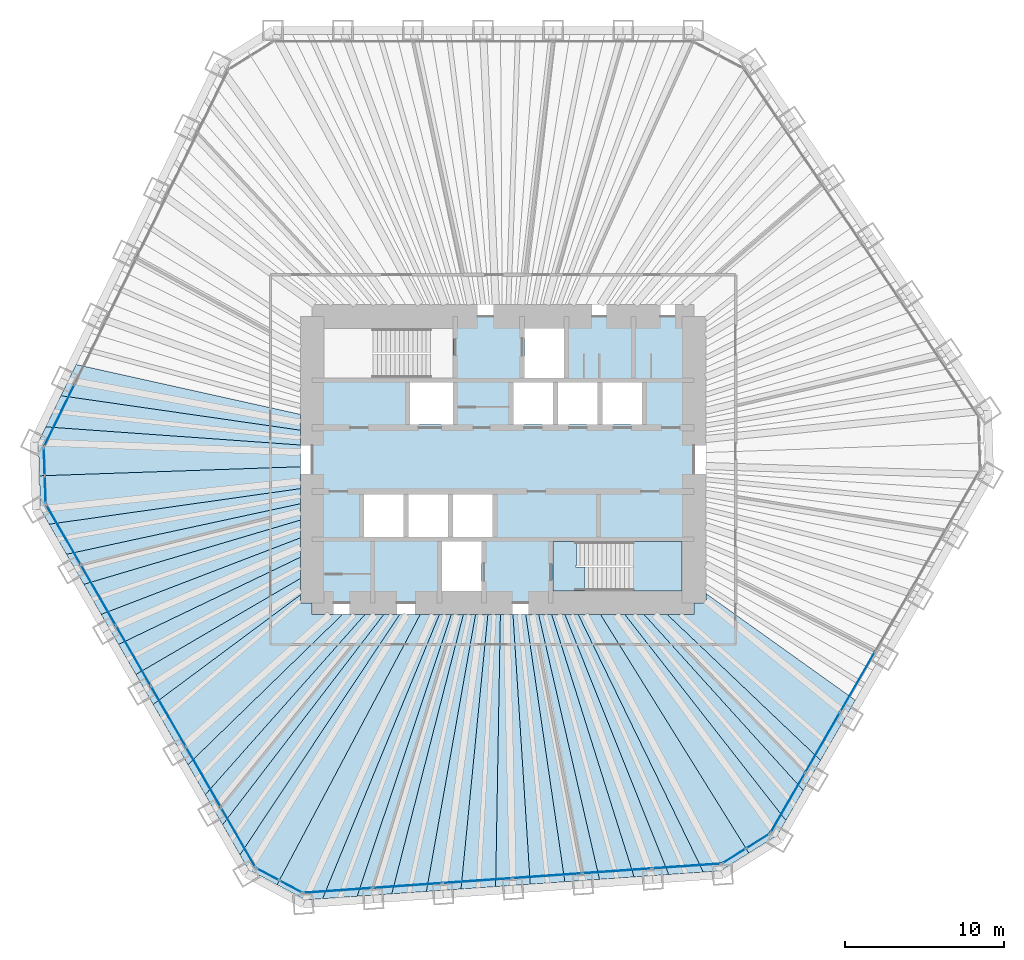
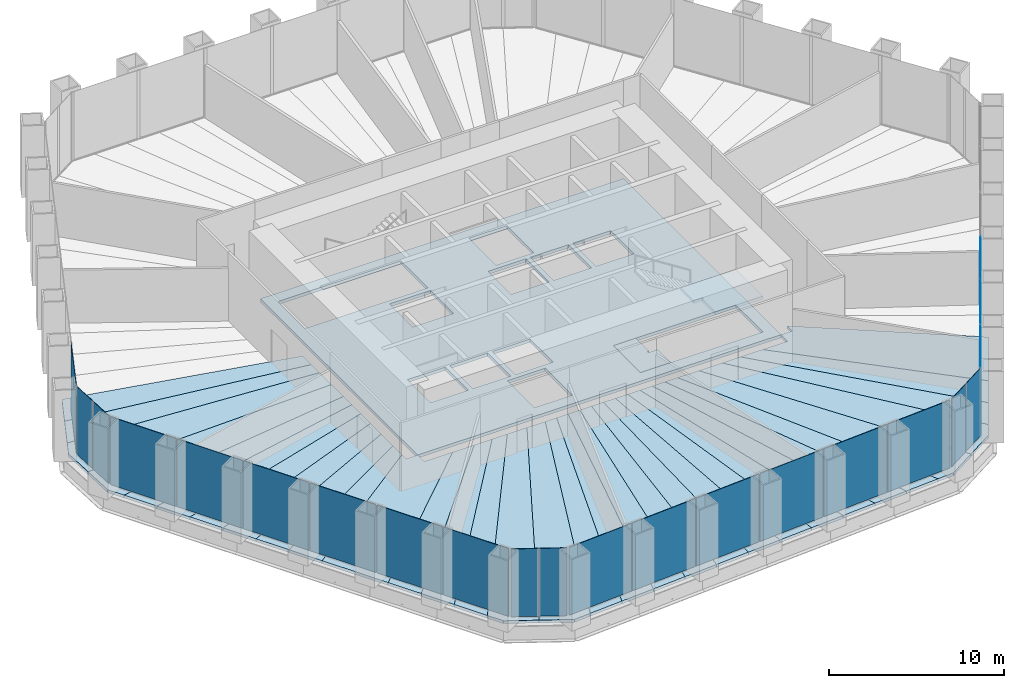
# One storey, part 8 of 13: 35 slabs, 22 plates, 8 elements without a shape of their own.
"""IFC4 building model written with IfcOpenShell, lengths in metres."""

from ifc_helpers import new_model, si_unit, direction, frame, origin, origin_2d, place, context, subcontext, project, spatial, polyline, rectangle, outline, extrude, material, layer, layer_set, type_object, element, aggregate, save


model = new_model("IFC4")

# Units and contexts
model_context = context("Model", 3, precision=1e-05, world=origin(), true_north=direction((0.0, 1.0)))
body_context = subcontext(model_context, "Body", "Model", "MODEL_VIEW")
ifc_project = project(units=[si_unit("LENGTHUNIT", "METRE"), si_unit("AREAUNIT", "SQUARE_METRE"), si_unit("VOLUMEUNIT", "CUBIC_METRE"), si_unit("PLANEANGLEUNIT", "RADIAN"), si_unit("MASSUNIT", "GRAM", prefix="KILO")], contexts=[model_context])

# Site, building, storey
site_placement = place(None, origin())
site = spatial("IfcSite", under=ifc_project, at=site_placement, CompositionType="ELEMENT")
building_placement = place(site_placement, origin())
building = spatial("IfcBuilding", under=site, at=building_placement, Name="Qingtian Harvest Tower", CompositionType="ELEMENT")
storey_placement = place(building_placement, frame((0.0, 0.0, 77.0)))
storey = spatial("IfcBuildingStorey", under=building, at=storey_placement, Name="L15", CompositionType="ELEMENT", Elevation=77.0)

# Slabs
ifc_material_1 = material(Name="Concrete fc' 35 MPa", Category="concrete")
ifc_layer_1 = layer(ifc_material_1, 0.199951171875)
ifc_layer_set_1 = layer_set([ifc_layer_1], Name="Composite floor slab FS20 200")
slab_type_1 = type_object("IfcSlabType", Name="Composite floor slab FS20 200", PredefinedType="FLOOR", material=ifc_layer_set_1)
slab_1_placement = place(storey_placement, frame((0.0, 0.0, -0.199951171875)))
element("IfcSlab", 1, at=slab_1_placement, inside=storey, type_object=slab_type_1, Name="Floor slab L15 panel D01", PredefinedType="FLOOR", context=body_context, shape_type="SweptSolid", body=[
    extrude(outline(polyline([(-29.157470703125, -1.018310546875), (-12.75, -0.447509765625), (-12.75, -1.822998046875), (-28.548583984375, -4.062255859375), (-29.08349609375, -3.135986328125), (-29.157470703125, -1.018310546875)])), origin(), (0.0, 0.0, 1.0), 0.199951171875),
])
slab_2_placement = place(storey_placement, frame((0.0, 0.0, -0.199951171875)))
element("IfcSlab", 2, at=slab_2_placement, inside=storey, type_object=slab_type_1, Name="Floor slab L15 panel D02", PredefinedType="FLOOR", context=body_context, shape_type="SweptSolid", body=[
    extrude(outline(polyline([(-12.75, -2.773681640625), (-27.45751953125, -5.9521484375), (-28.548583984375, -4.062255859375), (-12.75, -1.822998046875), (-12.75, -2.773681640625)])), origin(), (0.0, 0.0, 1.0), 0.199951171875),
])
slab_3_placement = place(storey_placement, frame((0.0, 0.0, -0.199951171875)))
element("IfcSlab", 3, at=slab_3_placement, inside=storey, type_object=slab_type_1, Name="Floor slab L15 panel D03", PredefinedType="FLOOR", context=body_context, shape_type="SweptSolid", body=[
    extrude(outline(polyline([(-12.75, -3.80322265625), (-26.366455078125, -7.842041015625), (-27.45751953125, -5.9521484375), (-12.75, -2.773681640625), (-12.75, -3.80322265625)])), origin(), (0.0, 0.0, 1.0), 0.199951171875),
])
slab_4_placement = place(storey_placement, frame((0.0, 0.0, -0.199951171875)))
element("IfcSlab", 4, at=slab_4_placement, inside=storey, type_object=slab_type_1, Name="Floor slab L15 panel D04", PredefinedType="FLOOR", context=body_context, shape_type="SweptSolid", body=[
    extrude(outline(polyline([(-12.75, -4.921875), (-25.275146484375, -9.732177734375), (-26.366455078125, -7.842041015625), (-12.75, -3.80322265625), (-12.75, -4.921875)])), origin(), (0.0, 0.0, 1.0), 0.199951171875),
])
slab_5_placement = place(storey_placement, frame((0.0, 0.0, -0.199951171875)))
element("IfcSlab", 5, at=slab_5_placement, inside=storey, type_object=slab_type_1, Name="Floor slab L15 panel D05", PredefinedType="FLOOR", context=body_context, shape_type="SweptSolid", body=[
    extrude(outline(polyline([(-12.75, -6.141357421875), (-24.18408203125, -11.6220703125), (-25.275146484375, -9.732177734375), (-12.75, -4.921875), (-12.75, -6.141357421875)])), origin(), (0.0, 0.0, 1.0), 0.199951171875),
])
slab_6_placement = place(storey_placement, frame((0.0, 0.0, -0.199951171875)))
element("IfcSlab", 6, at=slab_6_placement, inside=storey, type_object=slab_type_1, Name="Floor slab L15 panel D06", PredefinedType="FLOOR", context=body_context, shape_type="SweptSolid", body=[
    extrude(outline(polyline([(-12.75, -7.4765625), (-23.0927734375, -13.511962890625), (-24.18408203125, -11.6220703125), (-12.75, -6.141357421875), (-12.75, -7.4765625)])), origin(), (0.0, 0.0, 1.0), 0.199951171875),
])
slab_7_placement = place(storey_placement, frame((0.0, 0.0, -0.199951171875)))
element("IfcSlab", 7, at=slab_7_placement, inside=storey, type_object=slab_type_1, Name="Floor slab L15 panel D07", PredefinedType="FLOOR", context=body_context, shape_type="SweptSolid", body=[
    extrude(outline(polyline([(-12.75, -8.512451171875), (-22.00537109375, -15.3955078125), (-23.0927734375, -13.511962890625), (-12.75, -7.4765625), (-12.75, -8.512451171875)])), origin(), (0.0, 0.0, 1.0), 0.199951171875),
])
slab_8_placement = place(storey_placement, frame((0.0, 0.0, -0.199951171875)))
element("IfcSlab", 8, at=slab_8_placement, inside=storey, type_object=slab_type_1, Name="Floor slab L15 panel D09", PredefinedType="FLOOR", context=body_context, shape_type="SweptSolid", body=[
    extrude(outline(polyline([(-19.81982421875, -19.18115234375), (-22.00537109375, -15.3955078125), (-12.75, -8.512451171875), (-12.75, -9.0), (-12.0, -9.0), (-12.0, -9.75), (-10.1123046875, -9.75), (-19.81982421875, -19.18115234375)])), origin(), (0.0, 0.0, 1.0), 0.199951171875),
])
slab_9_placement = place(storey_placement, frame((0.0, 0.0, -0.199951171875)))
element("IfcSlab", 9, at=slab_9_placement, inside=storey, type_object=slab_type_1, Name="Floor slab L15 panel D10", PredefinedType="FLOOR", context=body_context, shape_type="SweptSolid", body=[
    extrude(outline(polyline([(-8.694580078125, -9.75), (-18.728515625, -21.0712890625), (-19.81982421875, -19.18115234375), (-10.1123046875, -9.75), (-8.694580078125, -9.75)])), origin(), (0.0, 0.0, 1.0), 0.199951171875),
])
slab_10_placement = place(storey_placement, frame((0.0, 0.0, -0.199951171875)))
element("IfcSlab", 10, at=slab_10_placement, inside=storey, type_object=slab_type_1, Name="Floor slab L15 panel D11", PredefinedType="FLOOR", context=body_context, shape_type="SweptSolid", body=[
    extrude(outline(polyline([(-7.511474609375, -9.75), (-17.63720703125, -22.961181640625), (-18.728515625, -21.0712890625), (-8.694580078125, -9.75), (-7.511474609375, -9.75)])), origin(), (0.0, 0.0, 1.0), 0.199951171875),
])
slab_11_placement = place(storey_placement, frame((0.0, 0.0, -0.199951171875)))
element("IfcSlab", 11, at=slab_11_placement, inside=storey, type_object=slab_type_1, Name="Floor slab L15 panel D12", PredefinedType="FLOOR", context=body_context, shape_type="SweptSolid", body=[
    extrude(outline(polyline([(-6.509033203125, -9.75), (-16.546142578125, -24.851318359375), (-17.63720703125, -22.961181640625), (-7.511474609375, -9.75), (-6.509033203125, -9.75)])), origin(), (0.0, 0.0, 1.0), 0.199951171875),
])
slab_12_placement = place(storey_placement, frame((0.0, 0.0, -0.199951171875)))
element("IfcSlab", 12, at=slab_12_placement, inside=storey, type_object=slab_type_1, Name="Floor slab L15 panel D13", PredefinedType="FLOOR", context=body_context, shape_type="SweptSolid", body=[
    extrude(outline(polyline([(-6.509033203125, -9.75), (-5.213623046875, -9.75), (-14.214599609375, -26.73291015625), (-16.01123046875, -25.777587890625), (-16.546142578125, -24.851318359375), (-6.509033203125, -9.75)])), origin(), (0.0, 0.0, 1.0), 0.199951171875),
])
slab_13_placement = place(storey_placement, frame((0.0, 0.0, -0.199951171875)))
element("IfcSlab", 13, at=slab_13_placement, inside=storey, type_object=slab_type_1, Name="Floor slab L15 panel D14", PredefinedType="FLOOR", context=body_context, shape_type="SweptSolid", body=[
    extrude(outline(polyline([(-5.213623046875, -9.75), (-4.006591796875, -9.75), (-11.350341796875, -27.614013671875), (-12.417236328125, -27.688720703125), (-14.214599609375, -26.73291015625), (-5.213623046875, -9.75)])), origin(), (0.0, 0.0, 1.0), 0.199951171875),
])
slab_14_placement = place(storey_placement, frame((0.0, 0.0, -0.199951171875)))
element("IfcSlab", 14, at=slab_14_placement, inside=storey, type_object=slab_type_1, Name="Floor slab L15 panel D15", PredefinedType="FLOOR", context=body_context, shape_type="SweptSolid", body=[
    extrude(outline(polyline([(-3.255859375, -9.75), (-9.17333984375, -27.4619140625), (-11.350341796875, -27.614013671875), (-4.006591796875, -9.75), (-3.255859375, -9.75)])), origin(), (0.0, 0.0, 1.0), 0.199951171875),
])
slab_15_placement = place(storey_placement, frame((0.0, 0.0, -0.199951171875)))
element("IfcSlab", 15, at=slab_15_placement, inside=storey, type_object=slab_type_1, Name="Floor slab L15 panel D16", PredefinedType="FLOOR", context=body_context, shape_type="SweptSolid", body=[
    extrude(outline(polyline([(-2.496826171875, -9.75), (-6.996337890625, -27.3095703125), (-9.17333984375, -27.4619140625), (-3.255859375, -9.75), (-2.496826171875, -9.75)])), origin(), (0.0, 0.0, 1.0), 0.199951171875),
])
slab_16_placement = place(storey_placement, frame((0.0, 0.0, -0.199951171875)))
element("IfcSlab", 16, at=slab_16_placement, inside=storey, type_object=slab_type_1, Name="Floor slab L15 panel D17", PredefinedType="FLOOR", context=body_context, shape_type="SweptSolid", body=[
    extrude(outline(polyline([(-1.729248046875, -9.75), (-4.8193359375, -27.1572265625), (-6.996337890625, -27.3095703125), (-2.496826171875, -9.75), (-1.729248046875, -9.75)])), origin(), (0.0, 0.0, 1.0), 0.199951171875),
])
slab_17_placement = place(storey_placement, frame((0.0, 0.0, -0.199951171875)))
element("IfcSlab", 17, at=slab_17_placement, inside=storey, type_object=slab_type_1, Name="Floor slab L15 panel D18", PredefinedType="FLOOR", context=body_context, shape_type="SweptSolid", body=[
    extrude(outline(polyline([(-0.952880859375, -9.75), (-2.642333984375, -27.005126953125), (-4.8193359375, -27.1572265625), (-1.729248046875, -9.75), (-0.952880859375, -9.75)])), origin(), (0.0, 0.0, 1.0), 0.199951171875),
])
slab_18_placement = place(storey_placement, frame((0.0, 0.0, -0.199951171875)))
element("IfcSlab", 18, at=slab_18_placement, inside=storey, type_object=slab_type_1, Name="Floor slab L15 panel D19", PredefinedType="FLOOR", context=body_context, shape_type="SweptSolid", body=[
    extrude(outline(polyline([(-0.16796875, -9.75), (-0.46533203125, -26.852783203125), (-2.642333984375, -27.005126953125), (-0.952880859375, -9.75), (-0.16796875, -9.75)])), origin(), (0.0, 0.0, 1.0), 0.199951171875),
])
slab_19_placement = place(storey_placement, frame((0.0, 0.0, -0.199951171875)))
element("IfcSlab", 19, at=slab_19_placement, inside=storey, type_object=slab_type_1, Name="Floor slab L15 panel D20", PredefinedType="FLOOR", context=body_context, shape_type="SweptSolid", body=[
    extrude(outline(polyline([(0.626220703125, -9.75), (1.711669921875, -26.70068359375), (-0.46533203125, -26.852783203125), (-0.16796875, -9.75), (0.626220703125, -9.75)])), origin(), (0.0, 0.0, 1.0), 0.199951171875),
])
slab_20_placement = place(storey_placement, frame((0.0, 0.0, -0.199951171875)))
element("IfcSlab", 20, at=slab_20_placement, inside=storey, type_object=slab_type_1, Name="Floor slab L15 panel D21", PredefinedType="FLOOR", context=body_context, shape_type="SweptSolid", body=[
    extrude(outline(polyline([(1.42919921875, -9.75), (3.888671875, -26.54833984375), (1.711669921875, -26.70068359375), (0.626220703125, -9.75), (1.42919921875, -9.75)])), origin(), (0.0, 0.0, 1.0), 0.199951171875),
])
slab_21_placement = place(storey_placement, frame((0.0, 0.0, -0.199951171875)))
element("IfcSlab", 21, at=slab_21_placement, inside=storey, type_object=slab_type_1, Name="Floor slab L15 panel D22", PredefinedType="FLOOR", context=body_context, shape_type="SweptSolid", body=[
    extrude(outline(polyline([(2.24169921875, -9.75), (6.065673828125, -26.396240234375), (3.888671875, -26.54833984375), (1.42919921875, -9.75), (2.24169921875, -9.75)])), origin(), (0.0, 0.0, 1.0), 0.199951171875),
])
slab_22_placement = place(storey_placement, frame((0.0, 0.0, -0.199951171875)))
element("IfcSlab", 22, at=slab_22_placement, inside=storey, type_object=slab_type_1, Name="Floor slab L15 panel D23", PredefinedType="FLOOR", context=body_context, shape_type="SweptSolid", body=[
    extrude(outline(polyline([(3.0634765625, -9.75), (8.24267578125, -26.243896484375), (6.065673828125, -26.396240234375), (2.24169921875, -9.75), (3.0634765625, -9.75)])), origin(), (0.0, 0.0, 1.0), 0.199951171875),
])
slab_23_placement = place(storey_placement, frame((0.0, 0.0, -0.199951171875)))
element("IfcSlab", 23, at=slab_23_placement, inside=storey, type_object=slab_type_1, Name="Floor slab L15 panel D24", PredefinedType="FLOOR", context=body_context, shape_type="SweptSolid", body=[
    extrude(outline(polyline([(3.894775390625, -9.75), (10.419677734375, -26.091796875), (8.24267578125, -26.243896484375), (3.0634765625, -9.75), (3.894775390625, -9.75)])), origin(), (0.0, 0.0, 1.0), 0.199951171875),
])
slab_24_placement = place(storey_placement, frame((0.0, 0.0, -0.199951171875)))
element("IfcSlab", 24, at=slab_24_placement, inside=storey, type_object=slab_type_1, Name="Floor slab L15 panel D25", PredefinedType="FLOOR", context=body_context, shape_type="SweptSolid", body=[
    extrude(outline(polyline([(4.736083984375, -9.75), (12.5966796875, -25.939453125), (10.419677734375, -26.091796875), (3.894775390625, -9.75), (4.736083984375, -9.75)])), origin(), (0.0, 0.0, 1.0), 0.199951171875),
])
slab_25_placement = place(storey_placement, frame((0.0, 0.0, -0.199951171875)))
element("IfcSlab", 25, at=slab_25_placement, inside=storey, type_object=slab_type_1, Name="Floor slab L15 panel D26", PredefinedType="FLOOR", context=body_context, shape_type="SweptSolid", body=[
    extrude(outline(polyline([(4.736083984375, -9.75), (6.136474609375, -9.75), (15.4609375, -24.74169921875), (13.663330078125, -25.864990234375), (12.5966796875, -25.939453125), (4.736083984375, -9.75)])), origin(), (0.0, 0.0, 1.0), 0.199951171875),
])
slab_26_placement = place(storey_placement, frame((0.0, 0.0, -0.199951171875)))
element("IfcSlab", 26, at=slab_26_placement, inside=storey, type_object=slab_type_1, Name="Floor slab L15 panel D27", PredefinedType="FLOOR", context=body_context, shape_type="SweptSolid", body=[
    extrude(outline(polyline([(6.136474609375, -9.75), (7.66748046875, -9.75), (17.79248046875, -22.692626953125), (17.257568359375, -23.618896484375), (15.4609375, -24.74169921875), (6.136474609375, -9.75)])), origin(), (0.0, 0.0, 1.0), 0.199951171875),
])
slab_27_placement = place(storey_placement, frame((0.0, 0.0, -0.199951171875)))
element("IfcSlab", 27, at=slab_27_placement, inside=storey, type_object=slab_type_1, Name="Floor slab L15 panel D28", PredefinedType="FLOOR", context=body_context, shape_type="SweptSolid", body=[
    extrude(outline(polyline([(8.88037109375, -9.75), (18.883544921875, -20.802734375), (17.79248046875, -22.692626953125), (7.66748046875, -9.75), (8.88037109375, -9.75)])), origin(), (0.0, 0.0, 1.0), 0.199951171875),
])
slab_28_placement = place(storey_placement, frame((0.0, 0.0, -0.199951171875)))
element("IfcSlab", 28, at=slab_28_placement, inside=storey, type_object=slab_type_1, Name="Floor slab L15 panel D29", PredefinedType="FLOOR", context=body_context, shape_type="SweptSolid", body=[
    extrude(outline(polyline([(10.337158203125, -9.75), (19.974853515625, -18.91259765625), (18.883544921875, -20.802734375), (8.88037109375, -9.75), (10.337158203125, -9.75)])), origin(), (0.0, 0.0, 1.0), 0.199951171875),
])
slab_29_placement = place(storey_placement, frame((0.0, 0.0, -0.199951171875)))
element("IfcSlab", 29, at=slab_29_placement, inside=storey, type_object=slab_type_1, Name="Floor slab L15 panel D31", PredefinedType="FLOOR", context=body_context, shape_type="SweptSolid", body=[
    extrude(outline(polyline([(12.75, -8.4091796875), (22.159423828125, -15.128662109375), (19.974853515625, -18.91259765625), (10.337158203125, -9.75), (12.0, -9.75), (12.0, -9.0), (12.75, -9.0), (12.75, -8.4091796875)])), origin(), (0.0, 0.0, 1.0), 0.199951171875),
])
slab_30_placement = place(storey_placement, frame((0.0, 0.0, -0.199951171875)))
element("IfcSlab", 30, at=slab_30_placement, inside=storey, type_object=slab_type_1, Name="Floor slab L15 panel D76", PredefinedType="FLOOR", context=body_context, shape_type="SweptSolid", body=[
    extrude(outline(polyline([(-12.75, 1.8525390625), (-27.805908203125, 4.022216796875), (-26.84912109375, 5.98388671875), (-12.75, 2.8505859375), (-12.75, 1.8525390625)])), origin(), (0.0, 0.0, 1.0), 0.199951171875),
])
slab_31_placement = place(storey_placement, frame((0.0, 0.0, -0.199951171875)))
element("IfcSlab", 31, at=slab_31_placement, inside=storey, type_object=slab_type_1, Name="Floor slab L15 panel D77", PredefinedType="FLOOR", context=body_context, shape_type="SweptSolid", body=[
    extrude(outline(polyline([(-12.75, 0.9208984375), (-28.762451171875, 2.060791015625), (-27.805908203125, 4.022216796875), (-12.75, 1.8525390625), (-12.75, 0.9208984375)])), origin(), (0.0, 0.0, 1.0), 0.199951171875),
])
slab_32_placement = place(storey_placement, frame((0.0, 0.0, -0.199951171875)))
element("IfcSlab", 32, at=slab_32_placement, inside=storey, type_object=slab_type_1, Name="Floor slab L15 panel D78", PredefinedType="FLOOR", context=body_context, shape_type="SweptSolid", body=[
    extrude(outline(polyline([(-12.75, 0.9208984375), (-12.75, -0.447509765625), (-29.157470703125, -1.018310546875), (-29.2314453125, 1.099609375), (-28.762451171875, 2.060791015625), (-12.75, 0.9208984375)])), origin(), (0.0, 0.0, 1.0), 0.199951171875),
])
ifc_material_2 = material(Name="Concrete fc' 35 MPa", Category="concrete")
ifc_layer_2 = layer(ifc_material_2, 0.219970703125)
ifc_layer_set_2 = layer_set([ifc_layer_2], Name="Core floor slab CS22 220")
slab_type_2 = type_object("IfcSlabType", Name="Core floor slab CS22 220", PredefinedType="FLOOR", material=ifc_layer_set_2)
slab_33_placement = place(storey_placement, frame((0.0, 0.0, -0.219970703125)))
element("IfcSlab", 33, at=slab_33_placement, inside=storey, type_object=slab_type_2, Name="Core floor slab L15", PredefinedType="FLOOR", context=body_context, shape_type="SweptSolid", body=[
    extrude(outline(polyline([(-12.0, -9.0), (12.0, -9.0), (12.0, 9.0), (-12.0, 9.0), (-12.0, -9.0)]), holes=[polyline([(-11.25, 5.14990234375), (-3.14990234375, 5.14990234375), (-3.14990234375, 8.25), (-11.25, 8.25), (-11.25, 5.14990234375)]), polyline([(3.14990234375, -8.25), (11.25, -8.25), (11.25, -5.14990234375), (3.14990234375, -5.14990234375), (3.14990234375, -8.25)]), polyline([(1.35009765625, 5.14990234375), (3.85009765625, 5.14990234375), (3.85009765625, 8.25), (1.35009765625, 8.25), (1.35009765625, 5.14990234375)]), polyline([(-3.85009765625, -8.25), (-1.35009765625, -8.25), (-1.35009765625, -5.14990234375), (-3.85009765625, -5.14990234375), (-3.85009765625, -8.25)]), polyline([(-5.85009765625, 2.199951171875), (-3.14990234375, 2.199951171875), (-3.14990234375, 4.85009765625), (-5.85009765625, 4.85009765625), (-5.85009765625, 2.199951171875)]), polyline([(0.64990234375, 2.199951171875), (3.14990234375, 2.199951171875), (3.14990234375, 4.85009765625), (0.64990234375, 4.85009765625), (0.64990234375, 2.199951171875)]), polyline([(3.449951171875, 2.199951171875), (5.949951171875, 2.199951171875), (5.949951171875, 4.85009765625), (3.449951171875, 4.85009765625), (3.449951171875, 2.199951171875)]), polyline([(6.25, 2.199951171875), (8.75, 2.199951171875), (8.75, 4.85009765625), (6.25, 4.85009765625), (6.25, 2.199951171875)]), polyline([(-8.75, -4.85009765625), (-6.25, -4.85009765625), (-6.25, -2.199951171875), (-8.75, -2.199951171875), (-8.75, -4.85009765625)]), polyline([(-5.949951171875, -4.85009765625), (-3.449951171875, -4.85009765625), (-3.449951171875, -2.199951171875), (-5.949951171875, -2.199951171875), (-5.949951171875, -4.85009765625)]), polyline([(-3.14990234375, -4.85009765625), (-0.64990234375, -4.85009765625), (-0.64990234375, -2.199951171875), (-3.14990234375, -2.199951171875), (-3.14990234375, -4.85009765625)])]), origin(), (0.0, 0.0, 1.0), 0.219970703125),
])

# Curtain wall, plates
ifc_material_3 = material(Name="Bronze-anodised aluminium curtain wall", Category="aluminium")
curtain_wall_type = type_object("IfcCurtainWallType", Name="Curtain wall CW2 farm reception", PredefinedType="USERDEFINED", material=ifc_material_3)
curtain_wall_1_placement = place(storey_placement, origin())
curtain_wall_1 = element("IfcCurtainWall", 34, at=curtain_wall_1_placement, inside=storey, type_object=curtain_wall_type, Name="Curtain wall CW2 L15 SE0-5", ObjectType="RECESSED CURTAIN WALL", PredefinedType="USERDEFINED")
ifc_material_4 = material(Name="Bronze-tinted laminated insulating glass", Category="glass")
ifc_layer_3 = layer(ifc_material_4, 0.030029296875)
ifc_layer_set_3 = layer_set([ifc_layer_3], Name="Glazed panel CWP tinted IGU")
plate_type = type_object("IfcPlateType", Name="Glazed panel CWP tinted IGU", PredefinedType="CURTAIN_PANEL", material=ifc_layer_set_3)
plate_1_placement = place(storey_placement, frame((22.30419921875, -13.968017578125, 0.06494140625), z_axis=(0.0, 0.0, 1.0), x_axis=(-0.5, -0.866025403784, 0.0)))
plate_1 = element("IfcPlate", 35, at=plate_1_placement, type_object=plate_type, Name="CW2 panel 4.1", PredefinedType="CURTAIN_PANEL", context=body_context, shape_type="SweptSolid", body=[
    extrude(rectangle(XDim=4.339599609375, YDim=0.030029296875, at=origin_2d()), origin(), (0.0, 0.0, 1.0), 4.735107421875),
])
plate_2_placement = place(storey_placement, frame((20.101806640625, -17.782470703125, 0.06494140625), z_axis=(0.0, 0.0, 1.0), x_axis=(-0.5, -0.866025403784, 0.0)))
plate_2 = element("IfcPlate", 36, at=plate_2_placement, type_object=plate_type, Name="CW2 panel 5.1", PredefinedType="CURTAIN_PANEL", context=body_context, shape_type="SweptSolid", body=[
    extrude(rectangle(XDim=4.339599609375, YDim=0.030029296875, at=origin_2d()), origin(), (0.0, 0.0, 1.0), 4.735107421875),
])
plate_3_placement = place(storey_placement, frame((17.90771484375, -21.5830078125, 0.06494140625), z_axis=(0.0, 0.0, 1.0), x_axis=(-0.5, -0.866025403784, 0.0)))
plate_3 = element("IfcPlate", 37, at=plate_3_placement, type_object=plate_type, Name="CW2 panel 6.1", PredefinedType="CURTAIN_PANEL", context=body_context, shape_type="SweptSolid", body=[
    extrude(rectangle(XDim=4.30712890625, YDim=0.030029296875, at=origin_2d()), origin(), (0.0, 0.0, 1.0), 4.735107421875),
])
aggregate(curtain_wall_1, [plate_1, plate_2, plate_3])

curtain_wall_2_placement = place(storey_placement, origin())
curtain_wall_2 = element("IfcCurtainWall", 38, at=curtain_wall_2_placement, inside=storey, type_object=curtain_wall_type, Name="Curtain wall CW2 L15 SEC", ObjectType="RECESSED CURTAIN WALL", PredefinedType="USERDEFINED")
plate_4_placement = place(storey_placement, frame((16.025390625, -23.9873046875, 0.06494140625), z_axis=(0.0, 0.0, 1.0), x_axis=(-0.848048096156, -0.529919264233, 0.0)))
plate_4 = element("IfcPlate", 39, at=plate_4_placement, type_object=plate_type, Name="CW2 panel 1.1", PredefinedType="CURTAIN_PANEL", context=body_context, shape_type="SweptSolid", body=[
    extrude(rectangle(XDim=1.69287109375, YDim=0.030029296875, at=origin_2d()), origin(), (0.0, 0.0, 1.0), 4.735107421875),
])
plate_5_placement = place(storey_placement, frame((14.53466796875, -24.9189453125, 0.06494140625), z_axis=(0.0, 0.0, 1.0), x_axis=(-0.848048096156, -0.529919264233, 0.0)))
plate_5 = element("IfcPlate", 40, at=plate_5_placement, type_object=plate_type, Name="CW2 panel 2.1", PredefinedType="CURTAIN_PANEL", context=body_context, shape_type="SweptSolid", body=[
    extrude(rectangle(XDim=1.69287109375, YDim=0.030029296875, at=origin_2d()), origin(), (0.0, 0.0, 1.0), 4.735107421875),
])
aggregate(curtain_wall_2, [plate_4, plate_5])

curtain_wall_3_placement = place(storey_placement, origin())
curtain_wall_3 = element("IfcCurtainWall", 41, at=curtain_wall_3_placement, inside=storey, type_object=curtain_wall_type, Name="Curtain wall CW2 L15 S0-5", ObjectType="RECESSED CURTAIN WALL", PredefinedType="USERDEFINED")
plate_6_placement = place(storey_placement, frame((11.548583984375, -25.556640625, 0.06494140625), z_axis=(0.0, 0.0, 1.0), x_axis=(-0.99756405026, -0.069756473744, 0.0)))
plate_6 = element("IfcPlate", 42, at=plate_6_placement, type_object=plate_type, Name="CW2 panel 1.1", PredefinedType="CURTAIN_PANEL", context=body_context, shape_type="SweptSolid", body=[
    extrude(rectangle(XDim=4.30712890625, YDim=0.030029296875, at=origin_2d()), origin(), (0.0, 0.0, 1.0), 4.735107421875),
])
plate_7_placement = place(storey_placement, frame((7.1708984375, -25.86279296875, 0.06494140625), z_axis=(0.0, 0.0, 1.0), x_axis=(-0.99756405026, -0.069756473744, 0.0)))
plate_7 = element("IfcPlate", 43, at=plate_7_placement, type_object=plate_type, Name="CW2 panel 2.1", PredefinedType="CURTAIN_PANEL", context=body_context, shape_type="SweptSolid", body=[
    extrude(rectangle(XDim=4.339599609375, YDim=0.030029296875, at=origin_2d()), origin(), (0.0, 0.0, 1.0), 4.735107421875),
])
plate_8_placement = place(storey_placement, frame((2.77685546875, -26.169921875, 0.06494140625), z_axis=(0.0, 0.0, 1.0), x_axis=(-0.99756405026, -0.069756473744, 0.0)))
plate_8 = element("IfcPlate", 44, at=plate_8_placement, type_object=plate_type, Name="CW2 panel 3.1", PredefinedType="CURTAIN_PANEL", context=body_context, shape_type="SweptSolid", body=[
    extrude(rectangle(XDim=4.339599609375, YDim=0.030029296875, at=origin_2d()), origin(), (0.0, 0.0, 1.0), 4.735107421875),
])
plate_9_placement = place(storey_placement, frame((-1.616943359375, -26.477294921875, 0.06494140625), z_axis=(0.0, 0.0, 1.0), x_axis=(-0.99756405026, -0.069756473744, 0.0)))
plate_9 = element("IfcPlate", 45, at=plate_9_placement, type_object=plate_type, Name="CW2 panel 4.1", PredefinedType="CURTAIN_PANEL", context=body_context, shape_type="SweptSolid", body=[
    extrude(rectangle(XDim=4.339599609375, YDim=0.030029296875, at=origin_2d()), origin(), (0.0, 0.0, 1.0), 4.735107421875),
])
plate_10_placement = place(storey_placement, frame((-6.0107421875, -26.784423828125, 0.06494140625), z_axis=(0.0, 0.0, 1.0), x_axis=(-0.99756405026, -0.069756473744, 0.0)))
plate_10 = element("IfcPlate", 46, at=plate_10_placement, type_object=plate_type, Name="CW2 panel 5.1", PredefinedType="CURTAIN_PANEL", context=body_context, shape_type="SweptSolid", body=[
    extrude(rectangle(XDim=4.339599609375, YDim=0.030029296875, at=origin_2d()), origin(), (0.0, 0.0, 1.0), 4.735107421875),
])
plate_11_placement = place(storey_placement, frame((-10.388427734375, -27.090576171875, 0.06494140625), z_axis=(0.0, 0.0, 1.0), x_axis=(-0.99756405026, -0.069756473744, 0.0)))
plate_11 = element("IfcPlate", 47, at=plate_11_placement, type_object=plate_type, Name="CW2 panel 6.1", PredefinedType="CURTAIN_PANEL", context=body_context, shape_type="SweptSolid", body=[
    extrude(rectangle(XDim=4.30712890625, YDim=0.030029296875, at=origin_2d()), origin(), (0.0, 0.0, 1.0), 4.735107421875),
])
aggregate(curtain_wall_3, [plate_6, plate_7, plate_8, plate_9, plate_10, plate_11])

curtain_wall_4_placement = place(storey_placement, origin())
curtain_wall_4 = element("IfcCurtainWall", 48, at=curtain_wall_4_placement, inside=storey, type_object=curtain_wall_type, Name="Curtain wall CW2 L15 SC", ObjectType="RECESSED CURTAIN WALL", PredefinedType="USERDEFINED")
plate_12_placement = place(storey_placement, frame((-13.350830078125, -26.84716796875, 0.06494140625), z_axis=(0.0, 0.0, 1.0), x_axis=(-0.882947592859, 0.469471562786, 0.0)))
plate_12 = element("IfcPlate", 49, at=plate_12_placement, type_object=plate_type, Name="CW2 panel 1.1", PredefinedType="CURTAIN_PANEL", context=body_context, shape_type="SweptSolid", body=[
    extrude(rectangle(XDim=1.56689453125, YDim=0.030029296875, at=origin_2d()), origin(), (0.0, 0.0, 1.0), 4.735107421875),
])
plate_13_placement = place(storey_placement, frame((-14.79150390625, -26.0810546875, 0.06494140625), z_axis=(0.0, 0.0, 1.0), x_axis=(-0.882947592859, 0.469471562786, 0.0)))
plate_13 = element("IfcPlate", 50, at=plate_13_placement, type_object=plate_type, Name="CW2 panel 2.1", PredefinedType="CURTAIN_PANEL", context=body_context, shape_type="SweptSolid", body=[
    extrude(rectangle(XDim=1.56689453125, YDim=0.030029296875, at=origin_2d()), origin(), (0.0, 0.0, 1.0), 4.735107421875),
])
aggregate(curtain_wall_4, [plate_12, plate_13])

curtain_wall_5_placement = place(storey_placement, origin())
curtain_wall_5 = element("IfcCurtainWall", 51, at=curtain_wall_5_placement, inside=storey, type_object=curtain_wall_type, Name="Curtain wall CW2 L15 SW0-5", ObjectType="RECESSED CURTAIN WALL", PredefinedType="USERDEFINED")
plate_14_placement = place(storey_placement, frame((-16.64990234375, -23.76123046875, 0.06494140625), z_axis=(0.0, 0.0, 1.0), x_axis=(-0.5, 0.866025403784, 0.0)))
plate_14 = element("IfcPlate", 52, at=plate_14_placement, type_object=plate_type, Name="CW2 panel 1.1", PredefinedType="CURTAIN_PANEL", context=body_context, shape_type="SweptSolid", body=[
    extrude(rectangle(XDim=4.30712890625, YDim=0.030029296875, at=origin_2d()), origin(), (0.0, 0.0, 1.0), 4.735107421875),
])
plate_15_placement = place(storey_placement, frame((-18.84423828125, -19.9609375, 0.06494140625), z_axis=(0.0, 0.0, 1.0), x_axis=(-0.5, 0.866025403784, 0.0)))
plate_15 = element("IfcPlate", 53, at=plate_15_placement, type_object=plate_type, Name="CW2 panel 2.1", PredefinedType="CURTAIN_PANEL", context=body_context, shape_type="SweptSolid", body=[
    extrude(rectangle(XDim=4.339599609375, YDim=0.030029296875, at=origin_2d()), origin(), (0.0, 0.0, 1.0), 4.735107421875),
])
plate_16_placement = place(storey_placement, frame((-21.04638671875, -16.146484375, 0.06494140625), z_axis=(0.0, 0.0, 1.0), x_axis=(-0.5, 0.866025403784, 0.0)))
plate_16 = element("IfcPlate", 54, at=plate_16_placement, type_object=plate_type, Name="CW2 panel 3.1", PredefinedType="CURTAIN_PANEL", context=body_context, shape_type="SweptSolid", body=[
    extrude(rectangle(XDim=4.339599609375, YDim=0.030029296875, at=origin_2d()), origin(), (0.0, 0.0, 1.0), 4.735107421875),
])
plate_17_placement = place(storey_placement, frame((-23.248779296875, -12.33203125, 0.06494140625), z_axis=(0.0, 0.0, 1.0), x_axis=(-0.5, 0.866025403784, 0.0)))
plate_17 = element("IfcPlate", 55, at=plate_17_placement, type_object=plate_type, Name="CW2 panel 4.1", PredefinedType="CURTAIN_PANEL", context=body_context, shape_type="SweptSolid", body=[
    extrude(rectangle(XDim=4.339599609375, YDim=0.030029296875, at=origin_2d()), origin(), (0.0, 0.0, 1.0), 4.735107421875),
])
plate_18_placement = place(storey_placement, frame((-25.451171875, -8.517333984375, 0.06494140625), z_axis=(0.0, 0.0, 1.0), x_axis=(-0.5, 0.866025403784, 0.0)))
plate_18 = element("IfcPlate", 56, at=plate_18_placement, type_object=plate_type, Name="CW2 panel 5.1", PredefinedType="CURTAIN_PANEL", context=body_context, shape_type="SweptSolid", body=[
    extrude(rectangle(XDim=4.339599609375, YDim=0.030029296875, at=origin_2d()), origin(), (0.0, 0.0, 1.0), 4.735107421875),
])
plate_19_placement = place(storey_placement, frame((-27.645263671875, -4.717041015625, 0.06494140625), z_axis=(0.0, 0.0, 1.0), x_axis=(-0.5, 0.866025403784, 0.0)))
plate_19 = element("IfcPlate", 57, at=plate_19_placement, type_object=plate_type, Name="CW2 panel 6.1", PredefinedType="CURTAIN_PANEL", context=body_context, shape_type="SweptSolid", body=[
    extrude(rectangle(XDim=4.30712890625, YDim=0.030029296875, at=origin_2d()), origin(), (0.0, 0.0, 1.0), 4.735107421875),
])
aggregate(curtain_wall_5, [plate_14, plate_15, plate_16, plate_17, plate_18, plate_19])

curtain_wall_6_placement = place(storey_placement, origin())
curtain_wall_6 = element("IfcCurtainWall", 58, at=curtain_wall_6_placement, inside=storey, type_object=curtain_wall_type, Name="Curtain wall CW2 L15 SWC", ObjectType="RECESSED CURTAIN WALL", PredefinedType="USERDEFINED")
plate_20_placement = place(storey_placement, frame((-28.786376953125, -1.884765625, 0.06494140625), z_axis=(0.0, 0.0, 1.0), x_axis=(-0.034899496703, 0.999390827019, 0.0)))
plate_20 = element("IfcPlate", 59, at=plate_20_placement, type_object=plate_type, Name="CW2 panel 1.1", PredefinedType="CURTAIN_PANEL", context=body_context, shape_type="SweptSolid", body=[
    extrude(rectangle(XDim=1.69287109375, YDim=0.030029296875, at=origin_2d()), origin(), (0.0, 0.0, 1.0), 4.735107421875),
])
plate_21_placement = place(storey_placement, frame((-28.84765625, -0.1279296875, 0.06494140625), z_axis=(0.0, 0.0, 1.0), x_axis=(-0.034899496703, 0.999390827019, 0.0)))
plate_21 = element("IfcPlate", 60, at=plate_21_placement, type_object=plate_type, Name="CW2 panel 2.1", PredefinedType="CURTAIN_PANEL", context=body_context, shape_type="SweptSolid", body=[
    extrude(rectangle(XDim=1.69287109375, YDim=0.030029296875, at=origin_2d()), origin(), (0.0, 0.0, 1.0), 4.735107421875),
])
aggregate(curtain_wall_6, [plate_20, plate_21])

# Curtain wall, plate
curtain_wall_7_placement = place(storey_placement, origin())
curtain_wall_7 = element("IfcCurtainWall", 61, at=curtain_wall_7_placement, inside=storey, type_object=curtain_wall_type, Name="Curtain wall CW2 L15 NW0-5", ObjectType="RECESSED CURTAIN WALL", PredefinedType="USERDEFINED")
plate_22_placement = place(storey_placement, frame((-27.906982421875, 2.777099609375, 0.06494140625), z_axis=(0.0, 0.0, 1.0), x_axis=(0.438371146789, 0.898794046299, 0.0)))
plate_22 = element("IfcPlate", 62, at=plate_22_placement, type_object=plate_type, Name="CW2 panel 1.1", PredefinedType="CURTAIN_PANEL", context=body_context, shape_type="SweptSolid", body=[
    extrude(rectangle(XDim=4.30712890625, YDim=0.030029296875, at=origin_2d()), origin(), (0.0, 0.0, 1.0), 4.735107421875),
])
aggregate(curtain_wall_7, [plate_22])

# Stair, slabs
ifc_material_5 = material(Name="Concrete fc' 35 MPa", Category="concrete")
stair_type = type_object("IfcStairType", Name="Special stair ST2 5000", PredefinedType="HALF_TURN_STAIR", material=ifc_material_5)
stair_placement = place(storey_placement, origin())
stair = element("IfcStair", 63, at=stair_placement, inside=storey, type_object=stair_type, Name="Special stair S2 L15", PredefinedType="HALF_TURN_STAIR")
ifc_material_6 = material(Name="Concrete fc' 35 MPa", Category="concrete")
ifc_layer_4 = layer(ifc_material_6, 0.199951171875)
ifc_layer_set_4 = layer_set([ifc_layer_4], Name="Stair landing SL2 200")
slab_type_3 = type_object("IfcSlabType", Name="Stair landing SL2 200", PredefinedType="LANDING", material=ifc_layer_set_4)
slab_34_placement = place(storey_placement, frame((0.0, 0.0, -0.199951171875)))
slab_34 = element("IfcSlab", 64, at=slab_34_placement, type_object=slab_type_3, Name="S2 landing 1", PredefinedType="LANDING", context=body_context, shape_type="SweptSolid", body=[
    extrude(outline(polyline([(5.155029296875, -8.25), (3.14990234375, -8.25), (3.14990234375, -5.14990234375), (4.64990234375, -5.14990234375), (4.64990234375, -6.64990234375), (4.550048828125, -6.64990234375), (4.550048828125, -6.75), (5.155029296875, -6.75), (5.155029296875, -8.25)])), origin(), (0.0, 0.0, 1.0), 0.199951171875),
])
slab_35_placement = place(storey_placement, frame((0.0, 0.0, 2.300048828125)))
slab_35 = element("IfcSlab", 65, at=slab_35_placement, type_object=slab_type_3, Name="S2 landing 2", PredefinedType="LANDING", context=body_context, shape_type="SweptSolid", body=[
    extrude(outline(polyline([(8.090087890625, -8.25), (8.090087890625, -6.75), (8.18994140625, -6.75), (8.18994140625, -6.64990234375), (7.5849609375, -6.64990234375), (7.5849609375, -5.14990234375), (11.25, -5.14990234375), (11.25, -8.25), (8.090087890625, -8.25)])), origin(), (0.0, 0.0, 1.0), 0.199951171875),
])
aggregate(stair, [slab_34, slab_35])

save(model, "model.ifc")
